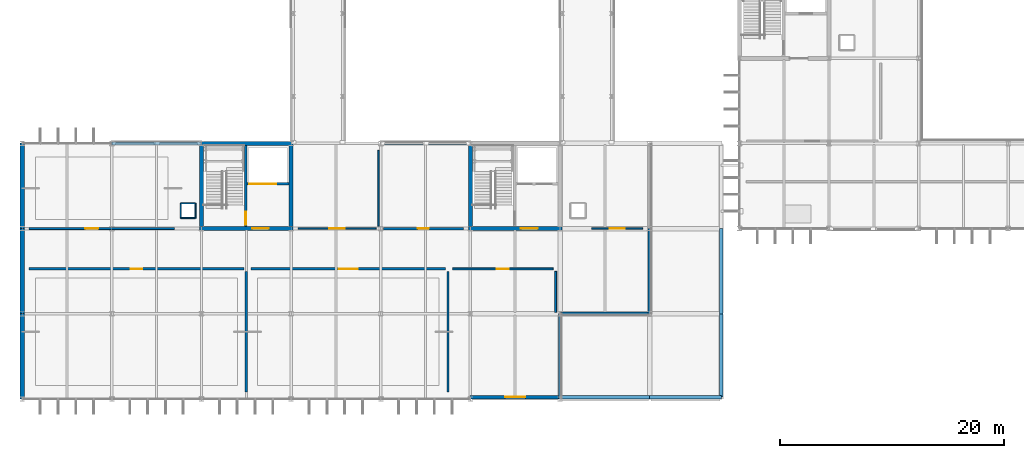
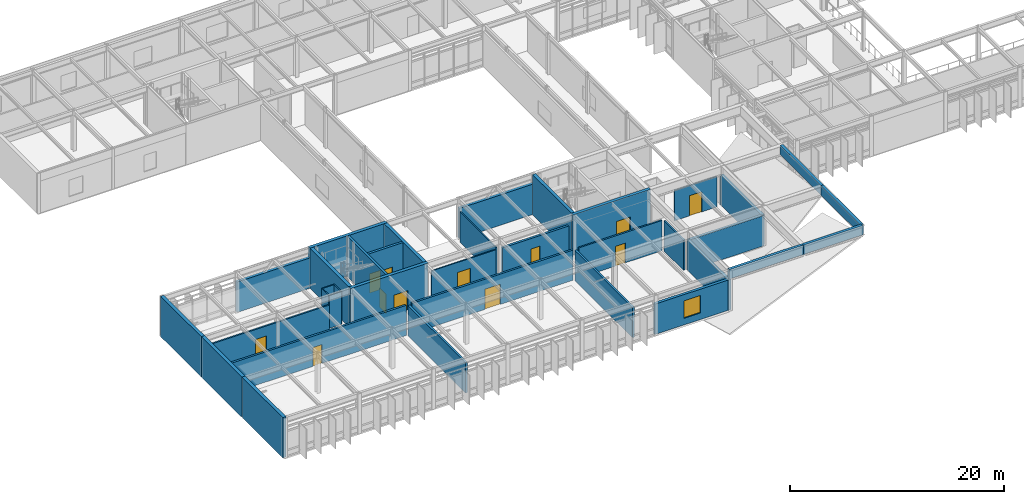
# One storey, part 79 of 104: 36 walls, 12 doors, 1 window, 13 openings.
"""IFC4 building model written with IfcOpenShell, lengths in metres."""

from ifc_helpers import new_model, si_unit, direction, frame, frame_2d, origin, place, context, subcontext, project, spatial, rectangle, extrude, material, layer, layer_set, type_object, element, fill, save


model = new_model("IFC4")

# Units and contexts
model_context = context("Model", 3, precision=1e-05, world=origin(), true_north=direction((0.0, 1.0)))
body_context = subcontext(model_context, "Body", "Model", "MODEL_VIEW")
ifc_project = project(units=[si_unit("LENGTHUNIT", "METRE"), si_unit("AREAUNIT", "SQUARE_METRE"), si_unit("VOLUMEUNIT", "CUBIC_METRE"), si_unit("PLANEANGLEUNIT", "RADIAN"), si_unit("MASSUNIT", "GRAM", prefix="KILO")], contexts=[model_context])

# Site, building, storey
site_placement = place(None, origin())
site = spatial("IfcSite", under=ifc_project, at=site_placement, CompositionType="ELEMENT")
building_placement = place(site_placement, origin())
building = spatial("IfcBuilding", under=site, at=building_placement, Name="Zulena Civic Courthouse", CompositionType="ELEMENT")
storey_placement = place(building_placement, frame((0.0, 0.0, 10.800048828125)))
storey = spatial("IfcBuildingStorey", under=building, at=storey_placement, Name="L02", CompositionType="ELEMENT", Elevation=10.800048828125)

# Wall, opening, door
ifc_material_1 = material(Name="Concrete C40/50", Category="concrete")
ifc_layer_1 = layer(ifc_material_1, 0.25)
ifc_layer_set_1 = layer_set([ifc_layer_1], Name="Concrete C40/50")
wall_type_1 = type_object("IfcWallType", Name="CoreShearWall_RC250", PredefinedType="SHEAR", material=ifc_layer_set_1)
wall_1_placement = place(storey_placement, frame((23.949951171875, 15.375, 0.0), z_axis=(0.0, 0.0, 1.0), x_axis=(0.0, 1.0, 0.0)))
wall_1 = element("IfcWall", 1, at=wall_1_placement, inside=storey, type_object=wall_type_1, Name="cwall:K2A:L02:DIV", PredefinedType="SHEAR", context=body_context, shape_type="SweptSolid", body=[
    extrude(rectangle(XDim=7.25, YDim=0.25, at=frame_2d((3.625, 0.0))), origin(), (0.0, 0.0, 1.0), 4.58984375),
])
opening_1_placement = place(wall_1_placement, frame((0.179931640625, 0.0, 0.0)))
opening_1 = element("IfcOpeningElement", 2, at=opening_1_placement, cuts=wall_1, Name="Opening ID08", PredefinedType="OPENING", context=body_context, shape_type="SweptSolid", body=[
    extrude(rectangle(XDim=1.14990234375, YDim=2.199951171875, at=frame_2d((0.574951171875, 1.10009765625))), frame((0.0, 0.135009765625, 0.0), z_axis=(0.0, -1.0, 0.0), x_axis=(1.0, 0.0, 0.0)), (0.0, 0.0, 1.0), 0.27001953125),
])
ifc_material_2 = material(Name="Fire-rated galvanised steel ASTM A653 Grade 50", Category="steel")
door_type_1 = type_object("IfcDoorType", Name="IntDoor_Stair_1150x2200", OperationType="NOTDEFINED", PredefinedType="DOOR", material=ifc_material_2)
door_1_placement = place(opening_1_placement, origin())
door_1 = element("IfcDoor", 3, at=door_1_placement, inside=storey, type_object=door_type_1, Name="door:stair:K2A:L02", OperationType="SINGLE_SWING_LEFT", OverallHeight=2.199951171875, OverallWidth=1.14990234375, PredefinedType="DOOR", context=body_context, shape_type="SweptSolid", body=[
    extrude(rectangle(XDim=1.14990234375, YDim=2.199951171875, at=frame_2d((0.574951171875, 1.10009765625))), frame((0.0, 0.02490234375, 0.0), z_axis=(0.0, -1.0, 0.0), x_axis=(1.0, 0.0, 0.0)), (0.0, 0.0, 1.0), 0.050048828125),
])
fill(opening_1, door_1)

# Wall, openings, doors
wall_2_placement = place(storey_placement, frame((24.074951171875, 19.199951171875, 0.0), z_axis=(0.0, 0.0, 1.0), x_axis=(1.0, 0.0, 0.0)))
wall_2 = element("IfcWall", 4, at=wall_2_placement, inside=storey, type_object=wall_type_1, Name="cwall:K2A:L02:SHF", PredefinedType="SHEAR", context=body_context, shape_type="SweptSolid", body=[
    extrude(rectangle(XDim=3.75, YDim=0.25, at=frame_2d((1.875, 0.0))), origin(), (0.0, 0.0, 1.0), 4.58984375),
])
opening_2_placement = place(wall_2_placement, frame((0.179931640625, 0.0, 0.0)))
opening_2 = element("IfcOpeningElement", 5, at=opening_2_placement, cuts=wall_2, Name="Opening LD01", PredefinedType="OPENING", context=body_context, shape_type="SweptSolid", body=[
    extrude(rectangle(XDim=1.199951171875, YDim=2.199951171875, at=frame_2d((0.60009765625, 1.10009765625))), frame((0.0, 0.135009765625, 0.0), z_axis=(0.0, -1.0, 0.0), x_axis=(1.0, 0.0, 0.0)), (0.0, 0.0, 1.0), 0.27001953125),
])
opening_3_placement = place(wall_2_placement, frame((1.550048828125, 0.0, 0.0)))
opening_3 = element("IfcOpeningElement", 6, at=opening_3_placement, cuts=wall_2, Name="Opening LD03", PredefinedType="OPENING", context=body_context, shape_type="SweptSolid", body=[
    extrude(rectangle(XDim=1.050048828125, YDim=2.199951171875, at=frame_2d((0.52490234375, 1.10009765625))), frame((0.0, 0.135009765625, 0.0), z_axis=(0.0, -1.0, 0.0), x_axis=(1.0, 0.0, 0.0)), (0.0, 0.0, 1.0), 0.27001953125),
])
door_type_2 = type_object("IfcDoorType", Name="LiftLandingDoor_FF_1200x2200", OperationType="SLIDING_TO_LEFT", PredefinedType="DOOR", material=ifc_material_2)
door_2_placement = place(opening_2_placement, origin())
door_2 = element("IfcDoor", 7, at=door_2_placement, inside=storey, type_object=door_type_2, Name="door:ld:FL-01:L02", OperationType="SLIDING_TO_LEFT", OverallHeight=2.199951171875, OverallWidth=1.199951171875, PredefinedType="DOOR", context=body_context, shape_type="SweptSolid", body=[
    extrude(rectangle(XDim=1.199951171875, YDim=2.199951171875, at=frame_2d((0.60009765625, 1.10009765625))), frame((0.0, 0.02490234375, 0.0), z_axis=(0.0, -1.0, 0.0), x_axis=(1.0, 0.0, 0.0)), (0.0, 0.0, 1.0), 0.050048828125),
])
fill(opening_2, door_2)
door_type_3 = type_object("IfcDoorType", Name="LiftLandingDoor_Jud_1050x2200", OperationType="SLIDING_TO_RIGHT", PredefinedType="DOOR", material=ifc_material_2)
door_3_placement = place(opening_3_placement, origin())
door_3 = element("IfcDoor", 8, at=door_3_placement, inside=storey, type_object=door_type_3, Name="door:ld:JL-01:L02", OperationType="SLIDING_TO_RIGHT", OverallHeight=2.199951171875, OverallWidth=1.050048828125, PredefinedType="DOOR", context=body_context, shape_type="SweptSolid", body=[
    extrude(rectangle(XDim=1.050048828125, YDim=2.199951171875, at=frame_2d((0.52490234375, 1.10009765625))), frame((0.0, 0.02490234375, 0.0), z_axis=(0.0, -1.0, 0.0), x_axis=(1.0, 0.0, 0.0)), (0.0, 0.0, 1.0), 0.050048828125),
])
fill(opening_3, door_3)

# Wall, opening, door
ifc_layer_2 = layer(ifc_material_1, 0.35009765625)
ifc_layer_set_2 = layer_set([ifc_layer_2], Name="Concrete C40/50")
wall_type_2 = type_object("IfcWallType", Name="CoreShearWall_RC350", PredefinedType="SHEAR", material=ifc_layer_set_2)
wall_3_placement = place(storey_placement, frame((19.824951171875, 15.199951171875, 0.0), z_axis=(0.0, 0.0, 1.0), x_axis=(1.0, 0.0, 0.0)))
wall_3 = element("IfcWall", 9, at=wall_3_placement, inside=storey, type_object=wall_type_2, Name="cwall:K2A:L02:S", PredefinedType="SHEAR", context=body_context, shape_type="SweptSolid", body=[
    extrude(rectangle(XDim=8.35009765625, YDim=0.35009765625, at=frame_2d((4.175048828125, 0.0))), origin(), (0.0, 0.0, 1.0), 4.58984375),
])
opening_4_placement = place(wall_3_placement, frame((4.68505859375, 0.0, 0.0)))
opening_4 = element("IfcOpeningElement", 10, at=opening_4_placement, cuts=wall_3, Name="Opening ID05", PredefinedType="OPENING", context=body_context, shape_type="SweptSolid", body=[
    extrude(rectangle(XDim=1.5, YDim=2.199951171875, at=frame_2d((0.75, 1.10009765625))), frame((0.0, 0.18505859375, 0.0), z_axis=(0.0, -1.0, 0.0), x_axis=(1.0, 0.0, 0.0)), (0.0, 0.0, 1.0), 0.3701171875),
])
door_type_4 = type_object("IfcDoorType", Name="IntDoor_FFLobby_1500x2200", OperationType="DOUBLE_DOOR_SINGLE_SWING", PredefinedType="DOOR", material=ifc_material_2)
door_4_placement = place(opening_4_placement, origin())
door_4 = element("IfcDoor", 11, at=door_4_placement, inside=storey, type_object=door_type_4, Name="door:corelob:K2A:L02", OperationType="DOUBLE_DOOR_SINGLE_SWING", OverallHeight=2.199951171875, OverallWidth=1.5, PredefinedType="DOOR", context=body_context, shape_type="SweptSolid", body=[
    extrude(rectangle(XDim=1.5, YDim=2.199951171875, at=frame_2d((0.75, 1.10009765625))), frame((0.0, 0.02490234375, 0.0), z_axis=(0.0, -1.0, 0.0), x_axis=(1.0, 0.0, 0.0)), (0.0, 0.0, 1.0), 0.050048828125),
])
fill(opening_4, door_4)

# Walls
wall_4_placement = place(storey_placement, frame((19.824951171875, 22.800048828125, 0.0), z_axis=(0.0, 0.0, 1.0), x_axis=(1.0, 0.0, 0.0)))
element("IfcWall", 12, at=wall_4_placement, inside=storey, type_object=wall_type_2, Name="cwall:K2A:L02:N", PredefinedType="SHEAR", context=body_context, shape_type="SweptSolid", body=[
    extrude(rectangle(XDim=8.35009765625, YDim=0.35009765625, at=frame_2d((4.175048828125, 0.0))), origin(), (0.0, 0.0, 1.0), 4.58984375),
])
for number, where, z_axis, x_axis, name in (
    (13, (20.0, 15.375, 0.0), (0.0, 0.0, 1.0), (0.0, 1.0, 0.0), "cwall:K2A:L02:W"),
    (14, (28.0, 15.375, 0.0), (0.0, 0.0, 1.0), (0.0, 1.0, 0.0), "cwall:K2A:L02:E"),
):
    element("IfcWall", number, at=place(storey_placement, frame(where, z_axis=z_axis, x_axis=x_axis)), inside=storey, type_object=wall_type_2, Name=name, PredefinedType="SHEAR", context=body_context, shape_type="SweptSolid", body=[
        extrude(rectangle(XDim=7.25, YDim=0.35009765625, at=frame_2d((3.625, 0.0))), origin(), (0.0, 0.0, 1.0), 4.58984375),
    ])

# Wall, opening, door
wall_5_placement = place(storey_placement, frame((43.824951171875, 15.199951171875, 0.0), z_axis=(0.0, 0.0, 1.0), x_axis=(1.0, 0.0, 0.0)))
wall_5 = element("IfcWall", 15, at=wall_5_placement, inside=storey, type_object=wall_type_2, Name="cwall:K2B:L02:S", PredefinedType="SHEAR", context=body_context, shape_type="SweptSolid", body=[
    extrude(rectangle(XDim=8.35009765625, YDim=0.35009765625, at=frame_2d((4.175048828125, 0.0))), origin(), (0.0, 0.0, 1.0), 4.58984375),
])
opening_5_placement = place(wall_5_placement, frame((4.68505859375, 0.0, 0.0)))
opening_5 = element("IfcOpeningElement", 16, at=opening_5_placement, cuts=wall_5, Name="Opening ID05", PredefinedType="OPENING", context=body_context, shape_type="SweptSolid", body=[
    extrude(rectangle(XDim=1.5, YDim=2.199951171875, at=frame_2d((0.75, 1.10009765625))), frame((0.0, 0.18505859375, 0.0), z_axis=(0.0, -1.0, 0.0), x_axis=(1.0, 0.0, 0.0)), (0.0, 0.0, 1.0), 0.3701171875),
])
door_5_placement = place(opening_5_placement, origin())
door_5 = element("IfcDoor", 17, at=door_5_placement, inside=storey, type_object=door_type_4, Name="door:corelob:K2B:L02", OperationType="DOUBLE_DOOR_SINGLE_SWING", OverallHeight=2.199951171875, OverallWidth=1.5, PredefinedType="DOOR", context=body_context, shape_type="SweptSolid", body=[
    extrude(rectangle(XDim=1.5, YDim=2.199951171875, at=frame_2d((0.75, 1.10009765625))), frame((0.0, 0.02490234375, 0.0), z_axis=(0.0, -1.0, 0.0), x_axis=(1.0, 0.0, 0.0)), (0.0, 0.0, 1.0), 0.050048828125),
])
fill(opening_5, door_5)

# Walls
wall_6_placement = place(storey_placement, frame((44.0, 15.375, 0.0), z_axis=(0.0, 0.0, 1.0), x_axis=(0.0, 1.0, 0.0)))
element("IfcWall", 18, at=wall_6_placement, inside=storey, type_object=wall_type_2, Name="cwall:K2B:L02:W", PredefinedType="SHEAR", context=body_context, shape_type="SweptSolid", body=[
    extrude(rectangle(XDim=7.25, YDim=0.35009765625, at=frame_2d((3.625, 0.0))), origin(), (0.0, 0.0, 1.0), 4.58984375),
])
ifc_layer_3 = layer(ifc_material_1, 0.360107421875)
ifc_layer_set_3 = layer_set([ifc_layer_3], Name="Concrete C40/50")
wall_type_3 = type_object("IfcWallType", Name="ExtWall_PartyWall_360", PredefinedType="STANDARD", material=ifc_layer_set_3)
wall_7_placement = place(storey_placement, frame((4.0, -0.02001953125, 0.0), z_axis=(0.0, 0.0, 1.0), x_axis=(0.0, 1.0, 0.0)))
element("IfcWall", 19, at=wall_7_placement, inside=storey, type_object=wall_type_3, Name="ewall:V2:L02:0:0", PredefinedType="STANDARD", context=body_context, shape_type="SweptSolid", body=[
    extrude(rectangle(XDim=7.64013671875, YDim=0.360107421875, at=frame_2d((3.820068359375, 0.0))), origin(), (0.0, 0.0, 1.0), 4.599853515625),
])
wall_8_placement = place(storey_placement, frame((4.0, 7.580078125, 0.0), z_axis=(0.0, 0.0, 1.0), x_axis=(0.0, 1.0, 0.0)))
element("IfcWall", 20, at=wall_8_placement, inside=storey, type_object=wall_type_3, Name="ewall:V2:L02:0:1", PredefinedType="STANDARD", context=body_context, shape_type="SweptSolid", body=[
    extrude(rectangle(XDim=7.639892578125, YDim=0.360107421875, at=frame_2d((3.81982421875, 0.0))), origin(), (0.0, 0.0, 1.0), 4.599853515625),
])
wall_9_placement = place(storey_placement, frame((4.0, 15.179931640625, 0.0), z_axis=(0.0, 0.0, 1.0), x_axis=(0.0, 1.0, 0.0)))
element("IfcWall", 21, at=wall_9_placement, inside=storey, type_object=wall_type_3, Name="ewall:V2:L02:0:2", PredefinedType="STANDARD", context=body_context, shape_type="SweptSolid", body=[
    extrude(rectangle(XDim=7.64013671875, YDim=0.360107421875, at=frame_2d((3.820068359375, 0.0))), origin(), (0.0, 0.0, 1.0), 4.599853515625),
])
ifc_material_3 = material(Name="White architectural precast concrete C40/50", Category="concrete")
ifc_layer_4 = layer(ifc_material_3, 0.300048828125)
ifc_layer_set_4 = layer_set([ifc_layer_4], Name="White architectural precast concrete C40/50")
wall_type_4 = type_object("IfcWallType", Name="ExtWall_WhitePrecast_300", PredefinedType="STANDARD", material=ifc_layer_set_4)
for number, where, z_axis, x_axis, name in (
    (22, (11.97998046875, 22.800048828125, 0.0), (0.0, 0.0, 1.0), (1.0, 0.0, 0.0), "ewall:V2:L02:1:1"),
    (23, (35.97998046875, 22.800048828125, 0.0), (0.0, 0.0, 1.0), (1.0, 0.0, 0.0), "ewall:V2:L02:1:4"),
):
    element("IfcWall", number, at=place(storey_placement, frame(where, z_axis=z_axis, x_axis=x_axis)), inside=storey, type_object=wall_type_4, Name=name, PredefinedType="STANDARD", context=body_context, shape_type="SweptSolid", body=[
        extrude(rectangle(XDim=8.0400390625, YDim=0.300048828125, at=frame_2d((4.02001953125, 0.0))), origin(), (0.0, 0.0, 1.0), 3.4599609375),
    ])
wall_10_placement = place(storey_placement, frame((60.0, 15.219970703125, 0.0), z_axis=(0.0, 0.0, 1.0), x_axis=(0.0, -1.0, 0.0)))
element("IfcWall", 24, at=wall_10_placement, inside=storey, type_object=wall_type_4, Name="ewall:V2:L02:2:1", PredefinedType="STANDARD", context=body_context, shape_type="SweptSolid", body=[
    extrude(rectangle(XDim=7.639892578125, YDim=0.300048828125, at=frame_2d((3.81982421875, 0.0))), origin(), (0.0, 0.0, 1.0), 3.4599609375),
])
wall_11_placement = place(storey_placement, frame((60.02001953125, 7.60009765625, 0.0), z_axis=(0.0, 0.0, 1.0), x_axis=(-1.0, 0.0, 0.0)))
element("IfcWall", 25, at=wall_11_placement, inside=storey, type_object=wall_type_4, Name="ewall:V2:L02:3:0", PredefinedType="STANDARD", context=body_context, shape_type="SweptSolid", body=[
    extrude(rectangle(XDim=8.0400390625, YDim=0.300048828125, at=frame_2d((4.02001953125, 0.0))), origin(), (0.0, 0.0, 1.0), 3.4599609375),
])
wall_12_placement = place(storey_placement, frame((52.0, 7.6201171875, 0.0), z_axis=(0.0, 0.0, 1.0), x_axis=(0.0, -1.0, 0.0)))
element("IfcWall", 26, at=wall_12_placement, inside=storey, type_object=wall_type_4, Name="ewall:V2:L02:4:0", PredefinedType="STANDARD", context=body_context, shape_type="SweptSolid", body=[
    extrude(rectangle(XDim=7.64013671875, YDim=0.300048828125, at=frame_2d((3.820068359375, 0.0))), origin(), (0.0, 0.0, 1.0), 3.4599609375),
])

# Wall, opening, window
wall_13_placement = place(storey_placement, frame((52.02001953125, 0.159912109375, 0.0), z_axis=(0.0, 0.0, 1.0), x_axis=(-1.0, 0.0, 0.0)))
wall_13 = element("IfcWall", 27, at=wall_13_placement, inside=storey, type_object=wall_type_4, Name="ewall:V2:L02:5:0", PredefinedType="STANDARD", context=body_context, shape_type="SweptSolid", body=[
    extrude(rectangle(XDim=8.0400390625, YDim=0.300048828125, at=frame_2d((4.02001953125, 0.0))), origin(), (0.0, 0.0, 1.0), 3.4599609375),
])
opening_6_placement = place(wall_13_placement, frame((3.1201171875, 0.0, 0.75)))
opening_6 = element("IfcOpeningElement", 28, at=opening_6_placement, cuts=wall_13, Name="Opening WN03", PredefinedType="OPENING", context=body_context, shape_type="SweptSolid", body=[
    extrude(rectangle(XDim=1.800048828125, YDim=2.0, at=frame_2d((0.89990234375, 1.0))), frame((0.0, 0.159912109375, 0.0), z_axis=(0.0, -1.0, 0.0), x_axis=(1.0, 0.0, 0.0)), (0.0, 0.0, 1.0), 0.320068359375),
])
ifc_material_4 = material(Name="Double-silver low-E laminated solar-control glass", Category="glass")
window_type = type_object("IfcWindowType", Name="Win_1800x2000", PartitioningType="DOUBLE_PANEL_VERTICAL", PredefinedType="WINDOW", material=ifc_material_4)
window_placement = place(opening_6_placement, origin())
window = element("IfcWindow", 29, at=window_placement, inside=storey, type_object=window_type, Name="win:V2:L02:5:0", OverallHeight=2.0, OverallWidth=1.800048828125, PartitioningType="SINGLE_PANEL", PredefinedType="WINDOW", context=body_context, shape_type="SweptSolid", body=[
    extrude(rectangle(XDim=1.800048828125, YDim=2.0, at=frame_2d((0.89990234375, 1.0))), frame((0.0, 0.030029296875, 0.0), z_axis=(0.0, -1.0, 0.0), x_axis=(1.0, 0.0, 0.0)), (0.0, 0.0, 1.0), 0.06005859375),
])
fill(opening_6, window)

# Walls
wall_14_placement = place(storey_placement, frame((52.0, 0.159912109375, 3.52001953125), z_axis=(0.0, 0.0, 1.0), x_axis=(1.0, 0.0, 0.0)))
element("IfcWall", 30, at=wall_14_placement, inside=storey, type_object=wall_type_4, Name="ewall:lid_fascia:0", PredefinedType="STANDARD", context=body_context, shape_type="SweptSolid", body=[
    extrude(rectangle(XDim=8.0, YDim=0.300048828125, at=frame_2d((4.0, 0.0))), origin(), (0.0, 0.0, 1.0), 1.06982421875),
])
wall_15_placement = place(storey_placement, frame((60.0, 0.159912109375, 3.52001953125), z_axis=(0.0, 0.0, 1.0), x_axis=(1.0, 0.0, 0.0)))
element("IfcWall", 31, at=wall_15_placement, inside=storey, type_object=wall_type_4, Name="ewall:lid_fascia:1", PredefinedType="STANDARD", context=body_context, shape_type="SweptSolid", body=[
    extrude(rectangle(XDim=6.39990234375, YDim=0.300048828125, at=frame_2d((3.199951171875, 0.0))), origin(), (0.0, 0.0, 1.0), 1.06982421875),
])
wall_16_placement = place(storey_placement, frame((66.39990234375, 0.159912109375, 3.52001953125), z_axis=(0.0, 0.0, 1.0), x_axis=(0.0, 1.0, 0.0)))
element("IfcWall", 32, at=wall_16_placement, inside=storey, type_object=wall_type_4, Name="ewall:lid_fascia:2", PredefinedType="STANDARD", context=body_context, shape_type="SweptSolid", body=[
    extrude(rectangle(XDim=7.440185546875, YDim=0.300048828125, at=frame_2d((3.72021484375, 0.0))), origin(), (0.0, 0.0, 1.0), 1.06982421875),
])
wall_17_placement = place(storey_placement, frame((66.39990234375, 7.60009765625, 3.52001953125), z_axis=(0.0, 0.0, 1.0), x_axis=(0.0, 1.0, 0.0)))
element("IfcWall", 33, at=wall_17_placement, inside=storey, type_object=wall_type_4, Name="ewall:lid_fascia:3", PredefinedType="STANDARD", context=body_context, shape_type="SweptSolid", body=[
    extrude(rectangle(XDim=7.599853515625, YDim=0.300048828125, at=frame_2d((3.7998046875, 0.0))), origin(), (0.0, 0.0, 1.0), 1.06982421875),
])

# Wall, opening, door
ifc_material_5 = material(Name="Acoustic fire-rated gypsum board assembly", Category="masonry")
ifc_layer_5 = layer(ifc_material_5, 0.14599609375)
ifc_layer_set_5 = layer_set([ifc_layer_5], Name="Acoustic fire-rated gypsum board assembly")
wall_type_5 = type_object("IfcWallType", Name="PartWall_Chambers_146", PredefinedType="PARTITIONING", material=ifc_layer_set_5)
wall_18_placement = place(storey_placement, frame((54.820068359375, 15.199951171875, 0.0), z_axis=(0.0, 0.0, 1.0), x_axis=(1.0, 0.0, 0.0)))
wall_18 = element("IfcWall", 34, at=wall_18_placement, inside=storey, type_object=wall_type_5, Name="pwall:L02:309:0", PredefinedType="PARTITIONING", context=body_context, shape_type="SweptSolid", body=[
    extrude(rectangle(XDim=4.559814453125, YDim=0.14599609375, at=frame_2d((2.27978515625, 0.0))), origin(), (0.0, 0.0, 1.0), 3.449951171875),
])
opening_7_placement = place(wall_18_placement, frame((1.6201171875, 0.0, 0.0)))
opening_7 = element("IfcOpeningElement", 35, at=opening_7_placement, cuts=wall_18, Name="Opening ID30", PredefinedType="OPENING", context=body_context, shape_type="SweptSolid", body=[
    extrude(rectangle(XDim=1.320068359375, YDim=2.300048828125, at=frame_2d((0.66015625, 1.14990234375))), frame((0.0, 0.0830078125, 0.0), z_axis=(0.0, -1.0, 0.0), x_axis=(1.0, 0.0, 0.0)), (0.0, 0.0, 1.0), 0.166015625),
])
ifc_material_6 = material(Name="Solid-core acoustic hardwood timber", Category="wood")
door_type_5 = type_object("IfcDoorType", Name="IntDoor_Conference_1320x2300", OperationType="NOTDEFINED", PredefinedType="DOOR", material=ifc_material_6)
door_6_placement = place(opening_7_placement, origin())
door_6 = element("IfcDoor", 36, at=door_6_placement, inside=storey, type_object=door_type_5, Name="door:rm:L02:309", OperationType="SINGLE_SWING_LEFT", OverallHeight=2.300048828125, OverallWidth=1.320068359375, PredefinedType="DOOR", context=body_context, shape_type="SweptSolid", body=[
    extrude(rectangle(XDim=1.320068359375, YDim=2.300048828125, at=frame_2d((0.66015625, 1.14990234375))), frame((0.0, 0.02490234375, 0.0), z_axis=(0.0, -1.0, 0.0), x_axis=(1.0, 0.0, 0.0)), (0.0, 0.0, 1.0), 0.050048828125),
])
fill(opening_7, door_6)

ifc_layer_6 = layer(ifc_material_5, 0.177978515625)
ifc_layer_set_6 = layer_set([ifc_layer_6], Name="Acoustic fire-rated gypsum board assembly")
wall_type_6 = type_object("IfcWallType", Name="PartWall_Corridor_178", PredefinedType="PARTITIONING", material=ifc_layer_set_6)
wall_19_placement = place(storey_placement, frame((42.419921875, 11.60009765625, 0.0), z_axis=(0.0, 0.0, 1.0), x_axis=(1.0, 0.0, 0.0)))
wall_19 = element("IfcWall", 37, at=wall_19_placement, inside=storey, type_object=wall_type_6, Name="pwall:L02:305:0", PredefinedType="PARTITIONING", context=body_context, shape_type="SweptSolid", body=[
    extrude(rectangle(XDim=8.9599609375, YDim=0.177978515625, at=frame_2d((4.47998046875, 0.0))), origin(), (0.0, 0.0, 1.0), 3.449951171875),
])
opening_8_placement = place(wall_19_placement, frame((3.93994140625, 0.0, 0.0)))
opening_8 = element("IfcOpeningElement", 38, at=opening_8_placement, cuts=wall_19, Name="Opening ID26", PredefinedType="OPENING", context=body_context, shape_type="SweptSolid", body=[
    extrude(rectangle(XDim=1.080078125, YDim=2.25, at=frame_2d((0.5400390625, 1.125))), frame((0.0, 0.098876953125, 0.0), z_axis=(0.0, -1.0, 0.0), x_axis=(1.0, 0.0, 0.0)), (0.0, 0.0, 1.0), 0.197998046875),
])
door_type_6 = type_object("IfcDoorType", Name="IntDoor_PlantSingle_1080x2250", OperationType="NOTDEFINED", PredefinedType="DOOR", material=ifc_material_2)
door_7_placement = place(opening_8_placement, origin())
door_7 = element("IfcDoor", 39, at=door_7_placement, inside=storey, type_object=door_type_6, Name="door:rm:L02:305", OperationType="SINGLE_SWING_RIGHT", OverallHeight=2.25, OverallWidth=1.080078125, PredefinedType="DOOR", context=body_context, shape_type="SweptSolid", body=[
    extrude(rectangle(XDim=1.080078125, YDim=2.25, at=frame_2d((0.5400390625, 1.125))), frame((0.0, 0.02490234375, 0.0), z_axis=(0.0, -1.0, 0.0), x_axis=(1.0, 0.0, 0.0)), (0.0, 0.0, 1.0), 0.050048828125),
])
fill(opening_8, door_7)

# Wall
wall_20_placement = place(storey_placement, frame((51.60009765625, 7.72705078125, 0.0), z_axis=(0.0, 0.0, 1.0), x_axis=(0.0, 1.0, 0.0)))
element("IfcWall", 40, at=wall_20_placement, inside=storey, type_object=wall_type_6, Name="pwall:L02:305:1", PredefinedType="PARTITIONING", context=body_context, shape_type="SweptSolid", body=[
    extrude(rectangle(XDim=3.65283203125, YDim=0.177978515625, at=frame_2d((1.826416015625, 0.0))), origin(), (0.0, 0.0, 1.0), 3.449951171875),
])

# Wall, opening, door
ifc_layer_7 = layer(ifc_material_5, 0.215087890625)
ifc_layer_set_7 = layer_set([ifc_layer_7], Name="Acoustic fire-rated gypsum board assembly")
wall_type_7 = type_object("IfcWallType", Name="PartWall_CourtAcoustic_215", PredefinedType="PARTITIONING", material=ifc_layer_set_7)
wall_21_placement = place(storey_placement, frame((4.6201171875, 11.60009765625, 0.0), z_axis=(0.0, 0.0, 1.0), x_axis=(1.0, 0.0, 0.0)))
wall_21 = element("IfcWall", 41, at=wall_21_placement, inside=storey, type_object=wall_type_7, Name="pwall:L02:303:0", PredefinedType="PARTITIONING", context=body_context, shape_type="SweptSolid", body=[
    extrude(rectangle(XDim=19.159912109375, YDim=0.215087890625, at=frame_2d((9.580078125, 0.0))), origin(), (0.0, 0.0, 1.0), 3.449951171875),
])
opening_9_placement = place(wall_21_placement, frame((9.080078125, 0.0, 0.0)))
opening_9 = element("IfcOpeningElement", 42, at=opening_9_placement, cuts=wall_21, Name="Opening ID24", PredefinedType="OPENING", context=body_context, shape_type="SweptSolid", body=[
    extrude(rectangle(XDim=1.0, YDim=2.14990234375, at=frame_2d((0.5, 1.074951171875))), frame((0.0, 0.117431640625, 0.0), z_axis=(0.0, -1.0, 0.0), x_axis=(1.0, 0.0, 0.0)), (0.0, 0.0, 1.0), 0.235107421875),
])
door_type_7 = type_object("IfcDoorType", Name="IntDoor_AccWC_1000x2150", OperationType="NOTDEFINED", PredefinedType="DOOR", material=ifc_material_6)
door_8_placement = place(opening_9_placement, origin())
door_8 = element("IfcDoor", 43, at=door_8_placement, inside=storey, type_object=door_type_7, Name="door:rm:L02:303", OperationType="SINGLE_SWING_LEFT", OverallHeight=2.14990234375, OverallWidth=1.0, PredefinedType="DOOR", context=body_context, shape_type="SweptSolid", body=[
    extrude(rectangle(XDim=1.0, YDim=2.14990234375, at=frame_2d((0.5, 1.074951171875))), frame((0.0, 0.02490234375, 0.0), z_axis=(0.0, -1.0, 0.0), x_axis=(1.0, 0.0, 0.0)), (0.0, 0.0, 1.0), 0.050048828125),
])
fill(opening_9, door_8)

# Wall
wall_22_placement = place(storey_placement, frame((24.0, 0.6201171875, 0.0), z_axis=(0.0, 0.0, 1.0), x_axis=(0.0, 1.0, 0.0)))
element("IfcWall", 44, at=wall_22_placement, inside=storey, type_object=wall_type_7, Name="pwall:L02:303:1", PredefinedType="PARTITIONING", context=body_context, shape_type="SweptSolid", body=[
    extrude(rectangle(XDim=10.759765625, YDim=0.215087890625, at=frame_2d((5.3798828125, 0.0))), origin(), (0.0, 0.0, 1.0), 3.449951171875),
])

# Wall, opening, door
wall_23_placement = place(storey_placement, frame((24.419921875, 11.60009765625, 0.0), z_axis=(0.0, 0.0, 1.0), x_axis=(1.0, 0.0, 0.0)))
wall_23 = element("IfcWall", 45, at=wall_23_placement, inside=storey, type_object=wall_type_7, Name="pwall:L02:304:0", PredefinedType="PARTITIONING", context=body_context, shape_type="SweptSolid", body=[
    extrude(rectangle(XDim=17.360107421875, YDim=0.215087890625, at=frame_2d((8.68017578125, 0.0))), origin(), (0.0, 0.0, 1.0), 3.449951171875),
])
opening_10_placement = place(wall_23_placement, frame((7.830078125, 0.0, 0.0)))
opening_10 = element("IfcOpeningElement", 46, at=opening_10_placement, cuts=wall_23, Name="Opening ID25", PredefinedType="OPENING", context=body_context, shape_type="SweptSolid", body=[
    extrude(rectangle(XDim=1.699951171875, YDim=2.300048828125, at=frame_2d((0.85009765625, 1.14990234375))), frame((0.0, 0.117431640625, 0.0), z_axis=(0.0, -1.0, 0.0), x_axis=(1.0, 0.0, 0.0)), (0.0, 0.0, 1.0), 0.235107421875),
])
door_type_8 = type_object("IfcDoorType", Name="IntDoor_PlantDouble_1700x2300", OperationType="DOUBLE_DOOR_SINGLE_SWING", PredefinedType="DOOR", material=ifc_material_2)
door_9_placement = place(opening_10_placement, origin())
door_9 = element("IfcDoor", 47, at=door_9_placement, inside=storey, type_object=door_type_8, Name="door:rm:L02:304", OperationType="DOUBLE_DOOR_SINGLE_SWING", OverallHeight=2.300048828125, OverallWidth=1.699951171875, PredefinedType="DOOR", context=body_context, shape_type="SweptSolid", body=[
    extrude(rectangle(XDim=1.699951171875, YDim=2.300048828125, at=frame_2d((0.85009765625, 1.14990234375))), frame((0.0, 0.02490234375, 0.0), z_axis=(0.0, -1.0, 0.0), x_axis=(1.0, 0.0, 0.0)), (0.0, 0.0, 1.0), 0.050048828125),
])
fill(opening_10, door_9)

# Wall
wall_24_placement = place(storey_placement, frame((42.0, 0.6201171875, 0.0), z_axis=(0.0, 0.0, 1.0), x_axis=(0.0, 1.0, 0.0)))
element("IfcWall", 48, at=wall_24_placement, inside=storey, type_object=wall_type_7, Name="pwall:L02:304:1", PredefinedType="PARTITIONING", context=body_context, shape_type="SweptSolid", body=[
    extrude(rectangle(XDim=10.759765625, YDim=0.215087890625, at=frame_2d((5.3798828125, 0.0))), origin(), (0.0, 0.0, 1.0), 3.449951171875),
])

# Wall, opening, door
ifc_material_7 = material(Name="Insulated blockwork masonry ASTM C90", Category="masonry")
ifc_layer_8 = layer(ifc_material_7, 0.239990234375)
ifc_layer_set_8 = layer_set([ifc_layer_8], Name="Insulated blockwork masonry ASTM C90")
wall_type_8 = type_object("IfcWallType", Name="PartWall_Custody_240", PredefinedType="PARTITIONING", material=ifc_layer_set_8)
wall_25_placement = place(storey_placement, frame((36.219970703125, 15.199951171875, 0.0), z_axis=(0.0, 0.0, 1.0), x_axis=(1.0, 0.0, 0.0)))
wall_25 = element("IfcWall", 49, at=wall_25_placement, inside=storey, type_object=wall_type_8, Name="pwall:L02:308:0", PredefinedType="PARTITIONING", context=body_context, shape_type="SweptSolid", body=[
    extrude(rectangle(XDim=7.159912109375, YDim=0.239990234375, at=frame_2d((3.580078125, 0.0))), origin(), (0.0, 0.0, 1.0), 3.449951171875),
])
opening_11_placement = place(wall_25_placement, frame((3.090087890625, 0.0, 0.0)))
opening_11 = element("IfcOpeningElement", 50, at=opening_11_placement, cuts=wall_25, Name="Opening ID29", PredefinedType="OPENING", context=body_context, shape_type="SweptSolid", body=[
    extrude(rectangle(XDim=0.97998046875, YDim=2.25, at=frame_2d((0.489990234375, 1.125))), frame((0.0, 0.1298828125, 0.0), z_axis=(0.0, -1.0, 0.0), x_axis=(1.0, 0.0, 0.0)), (0.0, 0.0, 1.0), 0.260009765625),
])
door_type_9 = type_object("IfcDoorType", Name="IntDoor_Clerks_980x2250", OperationType="NOTDEFINED", PredefinedType="DOOR", material=ifc_material_6)
door_10_placement = place(opening_11_placement, origin())
door_10 = element("IfcDoor", 51, at=door_10_placement, inside=storey, type_object=door_type_9, Name="door:rm:L02:308", OperationType="SINGLE_SWING_RIGHT", OverallHeight=2.25, OverallWidth=0.97998046875, PredefinedType="DOOR", context=body_context, shape_type="SweptSolid", body=[
    extrude(rectangle(XDim=0.97998046875, YDim=2.25, at=frame_2d((0.489990234375, 1.125))), frame((0.0, 0.02490234375, 0.0), z_axis=(0.0, -1.0, 0.0), x_axis=(1.0, 0.0, 0.0)), (0.0, 0.0, 1.0), 0.050048828125),
])
fill(opening_11, door_10)

ifc_layer_9 = layer(ifc_material_5, 0.162109375)
ifc_layer_set_9 = layer_set([ifc_layer_9], Name="Acoustic fire-rated gypsum board assembly")
wall_type_9 = type_object("IfcWallType", Name="PartWall_Jury_162", PredefinedType="PARTITIONING", material=ifc_layer_set_9)
wall_26_placement = place(storey_placement, frame((4.6201171875, 15.199951171875, 0.0), z_axis=(0.0, 0.0, 1.0), x_axis=(1.0, 0.0, 0.0)))
wall_26 = element("IfcWall", 52, at=wall_26_placement, inside=storey, type_object=wall_type_9, Name="pwall:L02:306:0", PredefinedType="PARTITIONING", context=body_context, shape_type="SweptSolid", body=[
    extrude(rectangle(XDim=12.9599609375, YDim=0.162109375, at=frame_2d((6.47998046875, 0.0))), origin(), (0.0, 0.0, 1.0), 3.449951171875),
])
opening_12_placement = place(wall_26_placement, frame((4.989990234375, 0.0, 0.0)))
opening_12 = element("IfcOpeningElement", 53, at=opening_12_placement, cuts=wall_26, Name="Opening ID27", PredefinedType="OPENING", context=body_context, shape_type="SweptSolid", body=[
    extrude(rectangle(XDim=1.179931640625, YDim=2.300048828125, at=frame_2d((0.58984375, 1.14990234375))), frame((0.0, 0.091064453125, 0.0), z_axis=(0.0, -1.0, 0.0), x_axis=(1.0, 0.0, 0.0)), (0.0, 0.0, 1.0), 0.18212890625),
])
door_type_10 = type_object("IfcDoorType", Name="IntDoor_FCC_1180x2300", OperationType="NOTDEFINED", PredefinedType="DOOR", material=ifc_material_2)
door_11_placement = place(opening_12_placement, origin())
door_11 = element("IfcDoor", 54, at=door_11_placement, inside=storey, type_object=door_type_10, Name="door:rm:L02:306", OperationType="SINGLE_SWING_LEFT", OverallHeight=2.300048828125, OverallWidth=1.179931640625, PredefinedType="DOOR", context=body_context, shape_type="SweptSolid", body=[
    extrude(rectangle(XDim=1.179931640625, YDim=2.300048828125, at=frame_2d((0.58984375, 1.14990234375))), frame((0.0, 0.02490234375, 0.0), z_axis=(0.0, -1.0, 0.0), x_axis=(1.0, 0.0, 0.0)), (0.0, 0.0, 1.0), 0.050048828125),
])
fill(opening_12, door_11)

# Walls
ifc_layer_10 = layer(ifc_material_7, 0.114990234375)
ifc_layer_set_10 = layer_set([ifc_layer_10], Name="Insulated blockwork masonry ASTM C90")
wall_type_10 = type_object("IfcWallType", Name="PartWall_Riser_115", PredefinedType="PARTITIONING", material=ifc_layer_set_10)
for number, where, z_axis, x_axis, name in (
    (55, (18.139892578125, 16.139892578125, 0.0), (0.0, 0.0, 1.0), (1.0, 0.0, 0.0), "riser:RS-V2W:L02:0"),
    (56, (19.4599609375, 16.139892578125, 0.0), (0.0, 0.0, 1.0), (0.0, 1.0, 0.0), "riser:RS-V2W:L02:1"),
    (57, (19.4599609375, 17.4599609375, 0.0), (0.0, 0.0, 1.0), (-1.0, 0.0, 0.0), "riser:RS-V2W:L02:2"),
    (58, (18.139892578125, 17.4599609375, 0.0), (0.0, 0.0, 1.0), (0.0, -1.0, 0.0), "riser:RS-V2W:L02:3"),
):
    element("IfcWall", number, at=place(storey_placement, frame(where, z_axis=z_axis, x_axis=x_axis)), inside=storey, type_object=wall_type_10, Name=name, PredefinedType="PARTITIONING", context=body_context, shape_type="SweptSolid", body=[
        extrude(rectangle(XDim=1.320068359375, YDim=0.114990234375, at=frame_2d((0.66015625, 0.0))), origin(), (0.0, 0.0, 1.0), 3.75),
    ])

# Wall, opening, door
ifc_layer_11 = layer(ifc_material_7, 0.1279296875)
ifc_layer_set_11 = layer_set([ifc_layer_11], Name="Insulated blockwork masonry ASTM C90")
wall_type_11 = type_object("IfcWallType", Name="PartWall_WetRoom_128", PredefinedType="PARTITIONING", material=ifc_layer_set_11)
wall_27_placement = place(storey_placement, frame((28.6201171875, 15.199951171875, 0.0), z_axis=(0.0, 0.0, 1.0), x_axis=(1.0, 0.0, 0.0)))
wall_27 = element("IfcWall", 59, at=wall_27_placement, inside=storey, type_object=wall_type_11, Name="pwall:L02:307:0", PredefinedType="PARTITIONING", context=body_context, shape_type="SweptSolid", body=[
    extrude(rectangle(XDim=6.9599609375, YDim=0.1279296875, at=frame_2d((3.47998046875, 0.0))), origin(), (0.0, 0.0, 1.0), 3.449951171875),
])
opening_13_placement = place(wall_27_placement, frame((2.780029296875, 0.0, 0.0)))
opening_13 = element("IfcOpeningElement", 60, at=opening_13_placement, cuts=wall_27, Name="Opening ID28", PredefinedType="OPENING", context=body_context, shape_type="SweptSolid", body=[
    extrude(rectangle(XDim=1.39990234375, YDim=2.300048828125, at=frame_2d((0.699951171875, 1.14990234375))), frame((0.0, 0.073974609375, 0.0), z_axis=(0.0, -1.0, 0.0), x_axis=(1.0, 0.0, 0.0)), (0.0, 0.0, 1.0), 0.14794921875),
])
door_type_11 = type_object("IfcDoorType", Name="IntDoor_Cafe_1400x2300", OperationType="DOUBLE_DOOR_SINGLE_SWING", PredefinedType="DOOR", material=ifc_material_6)
door_12_placement = place(opening_13_placement, origin())
door_12 = element("IfcDoor", 61, at=door_12_placement, inside=storey, type_object=door_type_11, Name="door:rm:L02:307", OperationType="DOUBLE_DOOR_SINGLE_SWING", OverallHeight=2.300048828125, OverallWidth=1.39990234375, PredefinedType="DOOR", context=body_context, shape_type="SweptSolid", body=[
    extrude(rectangle(XDim=1.39990234375, YDim=2.300048828125, at=frame_2d((0.699951171875, 1.14990234375))), frame((0.0, 0.02490234375, 0.0), z_axis=(0.0, -1.0, 0.0), x_axis=(1.0, 0.0, 0.0)), (0.0, 0.0, 1.0), 0.050048828125),
])
fill(opening_13, door_12)

# Wall
wall_28_placement = place(storey_placement, frame((35.800048828125, 15.419921875, 0.0), z_axis=(0.0, 0.0, 1.0), x_axis=(0.0, 1.0, 0.0)))
element("IfcWall", 62, at=wall_28_placement, inside=storey, type_object=wall_type_11, Name="pwall:L02:307:1", PredefinedType="PARTITIONING", context=body_context, shape_type="SweptSolid", body=[
    extrude(rectangle(XDim=6.760009765625, YDim=0.1279296875, at=frame_2d((3.3798828125, 0.0))), origin(), (0.0, 0.0, 1.0), 3.449951171875),
])

save(model, "model.ifc")
